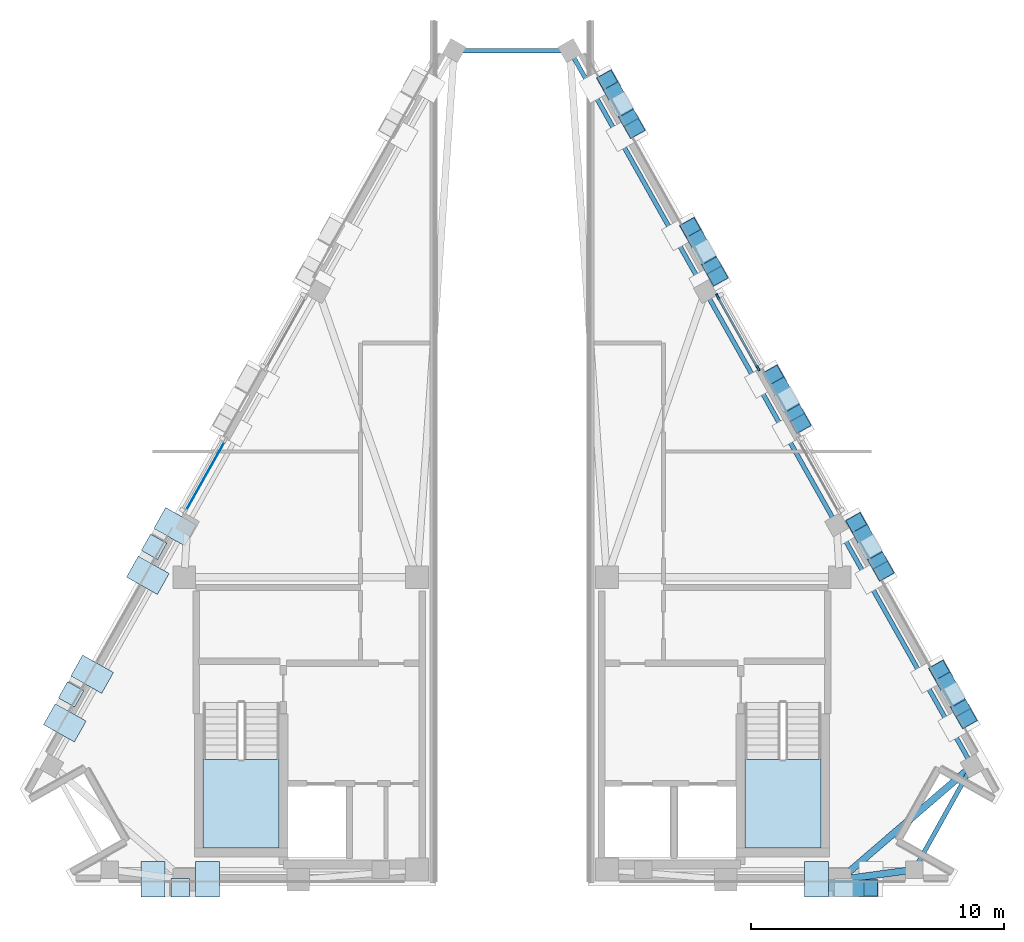
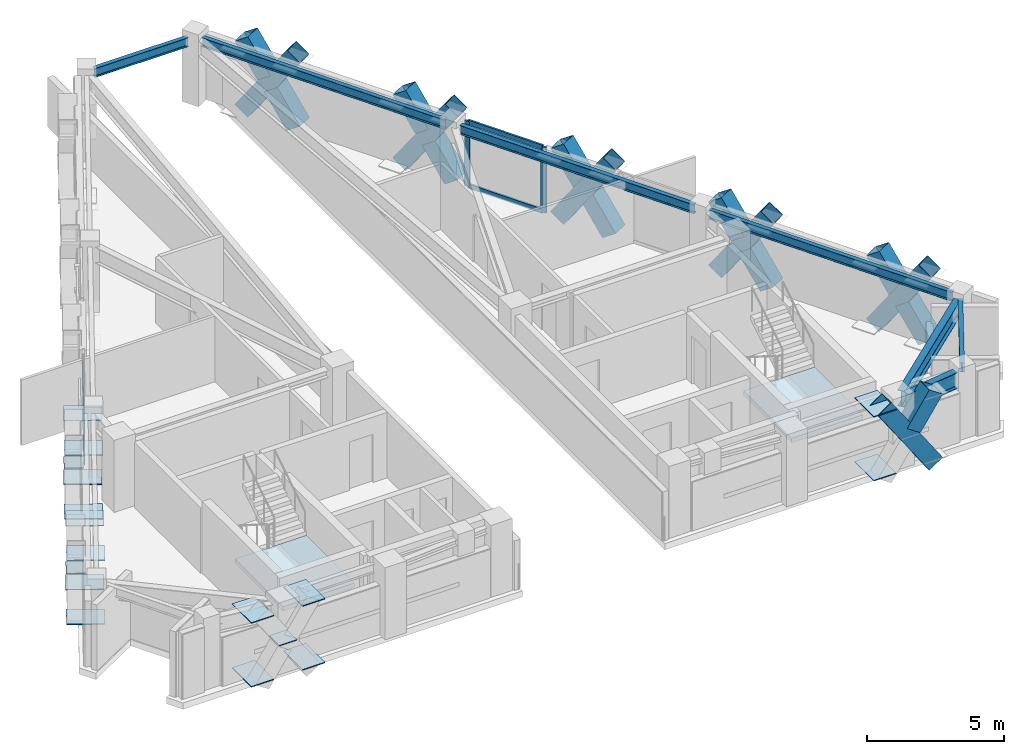
# One storey, part 2 of 7: 21 members, 18 plates, 7 beams, 2 slabs, 4 elements without a shape of their own.
"""IFC4 building model written with IfcOpenShell, lengths in metres."""

from ifc_helpers import new_model, si_unit, direction, frame, origin, origin_2d, place, context, subcontext, project, spatial, polyline, rectangle, hollow_rectangle, i_section, outline, extrude, material, layer, layer_set, material_profile, profile_set, type_object, element, aggregate, save


model = new_model("IFC4")

# Units and contexts
model_context = context("Model", 3, precision=1e-05, world=origin(), true_north=direction((0.0, 1.0)))
body_context = subcontext(model_context, "Body", "Model", "MODEL_VIEW")
ifc_project = project(units=[si_unit("LENGTHUNIT", "METRE"), si_unit("AREAUNIT", "SQUARE_METRE"), si_unit("VOLUMEUNIT", "CUBIC_METRE"), si_unit("PLANEANGLEUNIT", "RADIAN"), si_unit("MASSUNIT", "GRAM", prefix="KILO")], contexts=[model_context])

# Site, building, storey
site_placement = place(None, origin())
site = spatial("IfcSite", under=ifc_project, at=site_placement, CompositionType="ELEMENT")
building_placement = place(site_placement, origin())
building = spatial("IfcBuilding", under=site, at=building_placement, Name="Quenlor Broadcast Tower", CompositionType="ELEMENT")
storey_placement = place(building_placement, frame((0.0, 0.0, 274.10009765625)))
storey = spatial("IfcBuildingStorey", under=building, at=storey_placement, Name="L76", CompositionType="ELEMENT", Elevation=274.10009765625)

# Curtain wall, members
ifc_material_1 = material(Name="Architectural Terracotta and Low-E Glazing", Category="masonry")
curtain_wall_type = type_object("IfcCurtainWallType", Name="Station Concourse and Crown Terracotta Curtain Wall", PredefinedType="NOTDEFINED", material=ifc_material_1)
curtain_wall_1_placement = place(storey_placement, origin())
curtain_wall_1 = element("IfcCurtainWall", 1, at=curtain_wall_1_placement, inside=storey, type_object=curtain_wall_type, Name="L76 Curtain Wall CW6 (L76-NE-G1)", PredefinedType="NOTDEFINED")
ifc_material_2 = material(Name="Aluminium 6063-T6", Category="aluminium")
ifc_material_profile_1 = material_profile(ifc_material_2, rectangle(XDim=0.08203125, YDim=0.239990234375, at=origin_2d()))
ifc_profile_set_1 = profile_set([ifc_material_profile_1], Name="Aluminium 6063-T6 MULL82x240")
member_type_1 = type_object("IfcMemberType", Name="CW6 Aluminium Mullion MULL_CW6", PredefinedType="MULLION", material=ifc_profile_set_1)
member_1_placement = place(storey_placement, frame((8.126220703125, 6.29052734375, 0.0), z_axis=(0.0, 0.0, 1.0), x_axis=(0.871571523235, 0.490268375367, 0.0)))
member_1 = element("IfcMember", 2, at=member_1_placement, type_object=member_type_1, Name="CW6 mullion 1", PredefinedType="MULLION", context=body_context, shape_type="SweptSolid", body=[
    extrude(rectangle(XDim=0.08203125, YDim=0.239990234375, at=origin_2d()), origin(), (0.0, 0.0, 1.0), 2.919921875),
])
member_2_placement = place(storey_placement, frame((9.717041015625, 3.46240234375, 0.0), z_axis=(0.0, 0.0, 1.0), x_axis=(0.871571523235, 0.490268375367, 0.0)))
member_2 = element("IfcMember", 3, at=member_2_placement, type_object=member_type_1, Name="CW6 mullion 2", PredefinedType="MULLION", context=body_context, shape_type="SweptSolid", body=[
    extrude(rectangle(XDim=0.08203125, YDim=0.239990234375, at=origin_2d()), origin(), (0.0, 0.0, 1.0), 2.919921875),
])
ifc_material_3 = material(Name="Aluminium 6063-T6", Category="aluminium")
ifc_material_profile_2 = material_profile(ifc_material_3, rectangle(XDim=0.08203125, YDim=0.195068359375, at=origin_2d()))
ifc_profile_set_2 = profile_set([ifc_material_profile_2], Name="Aluminium 6063-T6 TRAN82x195")
member_type_2 = type_object("IfcMemberType", Name="CW6 Aluminium Transom TRAN_CW6", PredefinedType="USERDEFINED", material=ifc_profile_set_2)
member_3_placement = place(storey_placement, frame((8.146240234375, 6.254638671875, 0.041015625), z_axis=(0.490250244801, -0.871581721626, 0.0), x_axis=(0.871581721626, 0.490250244801, 0.0)))
member_3 = element("IfcMember", 4, at=member_3_placement, type_object=member_type_2, Name="CW6 transom 1.1", ObjectType="TRANSOM", PredefinedType="USERDEFINED", context=body_context, shape_type="SweptSolid", body=[
    extrude(rectangle(XDim=0.08203125, YDim=0.195068359375, at=origin_2d()), origin(), (0.0, 0.0, 1.0), 3.162841796875),
])
member_4_placement = place(storey_placement, frame((8.146240234375, 6.254638671875, 2.87890625), z_axis=(0.490250244801, -0.871581721626, 0.0), x_axis=(0.871581721626, 0.490250244801, 0.0)))
member_4 = element("IfcMember", 5, at=member_4_placement, type_object=member_type_2, Name="CW6 transom 1.2", ObjectType="TRANSOM", PredefinedType="USERDEFINED", context=body_context, shape_type="SweptSolid", body=[
    extrude(rectangle(XDim=0.08203125, YDim=0.195068359375, at=origin_2d()), origin(), (0.0, 0.0, 1.0), 3.162841796875),
])
aggregate(curtain_wall_1, [member_1, member_2, member_3, member_4])

# Beams
ifc_material_4 = material(Name="Steel S355", Category="steel")
ifc_material_profile_3 = material_profile(ifc_material_4, i_section(OverallWidth=0.27490234375, OverallDepth=0.716064453125, WebThickness=0.013916015625, FlangeThickness=0.02490234375, FilletRadius=0.013916015625, at=origin_2d()))
ifc_profile_set_3 = profile_set([ifc_material_profile_3], Name="Steel S355 700WB173")
beam_type_1 = type_object("IfcBeamType", Name="Crown Plant Ring Girder Steel S355 700WB173", PredefinedType="BEAM", material=ifc_profile_set_3)
beam_1_placement = place(storey_placement, frame((15.59033203125, -16.3916015625, 2.56201171875), z_axis=(-0.990908681621, -0.134536183561, 0.0), x_axis=(0.134536183561, -0.990908681621, 0.0)))
element("IfcBeam", 6, at=beam_1_placement, inside=storey, type_object=beam_type_1, Name="L76 Primary Radial Beam S4", PredefinedType="BEAM", context=body_context, shape_type="SweptSolid", body=[
    extrude(i_section(OverallWidth=0.27490234375, OverallDepth=0.716064453125, WebThickness=0.013916015625, FlangeThickness=0.02490234375, FilletRadius=0.013916015625, at=origin_2d()), origin(), (0.0, 0.0, 1.0), 2.28466796875),
])
beam_2_placement = place(storey_placement, frame((17.947265625, -12.451904296875, 2.56201171875), z_axis=(-0.758156826123, -0.652072255968, 0.0), x_axis=(0.652072255968, -0.758156826123, 0.0)))
element("IfcBeam", 7, at=beam_2_placement, inside=storey, type_object=beam_type_1, Name="L76 Primary Radial Beam NE1", PredefinedType="BEAM", context=body_context, shape_type="SweptSolid", body=[
    extrude(i_section(OverallWidth=0.27490234375, OverallDepth=0.716064453125, WebThickness=0.013916015625, FlangeThickness=0.02490234375, FilletRadius=0.013916015625, at=origin_2d()), origin(), (0.0, 0.0, 1.0), 6.21142578125),
])

# Members
ifc_material_5 = material(Name="Steel S355", Category="steel")
ifc_material_profile_4 = material_profile(ifc_material_5, hollow_rectangle(XDim=0.679931640625, YDim=0.679931640625, WallThickness=0.02001953125, at=origin_2d()))
ifc_profile_set_4 = profile_set([ifc_material_profile_4], Name="Steel S355 RHS680x680x20")
member_type_3 = type_object("IfcMemberType", Name="Perimeter Diagonal Lattice Brace Z5-Crown Steel S355 RHS680x20", PredefinedType="BRACE", material=ifc_profile_set_4)
member_5_placement = place(storey_placement, frame((14.182861328125, -17.070068359375, -0.1201171875), z_axis=(-0.559071894658, 0.0, 0.829119181182), x_axis=(0.0, -1.0, 0.0)))
element("IfcMember", 8, at=member_5_placement, inside=storey, type_object=member_type_3, Name="L76 Perimeter Diamond Lattice S-C1XA", PredefinedType="BRACE", context=body_context, shape_type="SweptSolid", body=[
    extrude(hollow_rectangle(XDim=0.679931640625, YDim=0.679931640625, WallThickness=0.02001953125, at=origin_2d()), origin(), (0.0, 0.0, 1.0), 3.859375),
])
member_6_placement = place(storey_placement, frame((13.243896484375, -17.070068359375, 1.687255859375), z_axis=(0.559053368551, 0.0, 0.829131672963), x_axis=(0.0, 1.0, 0.0)))
element("IfcMember", 9, at=member_6_placement, inside=storey, type_object=member_type_3, Name="L76 Perimeter Diamond Lattice S-C1XB2", PredefinedType="BRACE", context=body_context, shape_type="SweptSolid", body=[
    extrude(hollow_rectangle(XDim=0.679931640625, YDim=0.679931640625, WallThickness=0.02001953125, at=origin_2d()), origin(), (0.0, 0.0, 1.0), 1.679443359375),
])
member_7_placement = place(storey_placement, frame((3.761962890625, 14.85498046875, -0.1201171875), z_axis=(0.278011753881, -0.494250100424, 0.823666378417), x_axis=(0.871578496623, 0.490255978266, 0.0)))
element("IfcMember", 10, at=member_7_placement, inside=storey, type_object=member_type_3, Name="L76 Perimeter Diamond Lattice NE-C1XA", PredefinedType="BRACE", context=body_context, shape_type="SweptSolid", body=[
    extrude(hollow_rectangle(XDim=0.679931640625, YDim=0.679931640625, WallThickness=0.02001953125, at=origin_2d()), origin(), (0.0, 0.0, 1.0), 3.885009765625),
])
member_8_placement = place(storey_placement, frame((4.842041015625, 12.934814453125, -0.1201171875), z_axis=(-0.277979553584, 0.494217929725, 0.823696549542), x_axis=(-0.87158912515, -0.49023708236, 0.0)))
element("IfcMember", 11, at=member_8_placement, inside=storey, type_object=member_type_3, Name="L76 Perimeter Diamond Lattice NE-C1XB1", PredefinedType="BRACE", context=body_context, shape_type="SweptSolid", body=[
    extrude(hollow_rectangle(XDim=0.679931640625, YDim=0.679931640625, WallThickness=0.02001953125, at=origin_2d()), origin(), (0.0, 0.0, 1.0), 1.6923828125),
])
member_9_placement = place(storey_placement, frame((4.232421875, 14.018310546875, 1.685791015625), z_axis=(-0.27795973469, 0.494326938653, 0.823637823083), x_axis=(-0.871650246414, -0.490128399428, 0.0)))
element("IfcMember", 12, at=member_9_placement, inside=storey, type_object=member_type_3, Name="L76 Perimeter Diamond Lattice NE-C1XB2", PredefinedType="BRACE", context=body_context, shape_type="SweptSolid", body=[
    extrude(hollow_rectangle(XDim=0.679931640625, YDim=0.679931640625, WallThickness=0.02001953125, at=origin_2d()), origin(), (0.0, 0.0, 1.0), 1.692626953125),
])
member_10_placement = place(storey_placement, frame((7.04150390625, 9.024658203125, -0.1201171875), z_axis=(0.278011753881, -0.494250100424, 0.823666378417), x_axis=(0.871578496623, 0.490255978266, 0.0)))
element("IfcMember", 13, at=member_10_placement, inside=storey, type_object=member_type_3, Name="L76 Perimeter Diamond Lattice NE-C2XA", PredefinedType="BRACE", context=body_context, shape_type="SweptSolid", body=[
    extrude(hollow_rectangle(XDim=0.679931640625, YDim=0.679931640625, WallThickness=0.02001953125, at=origin_2d()), origin(), (0.0, 0.0, 1.0), 3.885009765625),
])
member_11_placement = place(storey_placement, frame((8.12158203125, 7.1044921875, -0.1201171875), z_axis=(-0.278112653694, 0.494198107654, 0.823663512757), x_axis=(-0.871480414068, -0.490430308909, 0.0)))
element("IfcMember", 14, at=member_11_placement, inside=storey, type_object=member_type_3, Name="L76 Perimeter Diamond Lattice NE-C2XB1", PredefinedType="BRACE", context=body_context, shape_type="SweptSolid", body=[
    extrude(hollow_rectangle(XDim=0.679931640625, YDim=0.679931640625, WallThickness=0.02001953125, at=origin_2d()), origin(), (0.0, 0.0, 1.0), 1.6923828125),
])
member_12_placement = place(storey_placement, frame((7.511962890625, 8.18798828125, 1.685791015625), z_axis=(-0.27795973469, 0.494326938653, 0.823637823083), x_axis=(-0.871650246414, -0.490128399428, 0.0)))
element("IfcMember", 15, at=member_12_placement, inside=storey, type_object=member_type_3, Name="L76 Perimeter Diamond Lattice NE-C2XB2", PredefinedType="BRACE", context=body_context, shape_type="SweptSolid", body=[
    extrude(hollow_rectangle(XDim=0.679931640625, YDim=0.679931640625, WallThickness=0.02001953125, at=origin_2d()), origin(), (0.0, 0.0, 1.0), 1.692626953125),
])
member_13_placement = place(storey_placement, frame((10.32080078125, 3.1943359375, -0.1201171875), z_axis=(0.278020388647, -0.494202607668, 0.823691960669), x_axis=(0.87155185771, 0.490303333991, 0.0)))
element("IfcMember", 16, at=member_13_placement, inside=storey, type_object=member_type_3, Name="L76 Perimeter Diamond Lattice NE-C3XA", PredefinedType="BRACE", context=body_context, shape_type="SweptSolid", body=[
    extrude(hollow_rectangle(XDim=0.679931640625, YDim=0.679931640625, WallThickness=0.02001953125, at=origin_2d()), origin(), (0.0, 0.0, 1.0), 3.885009765625),
])
for number, where, z_axis, x_axis, name in (
    (17, (11.40087890625, 1.2744140625, -0.1201171875), (-0.277979553584, 0.494217929725, 0.823696549542), (-0.87158912515, -0.49023708236, 0.0), "L76 Perimeter Diamond Lattice NE-C3XB1"),
    (18, (10.79150390625, 2.35791015625, 1.685791015625), (-0.278112653694, 0.494198107654, 0.823663512757), (-0.871480414068, -0.490430308909, 0.0), "L76 Perimeter Diamond Lattice NE-C3XB2"),
):
    element("IfcMember", number, at=place(storey_placement, frame(where, z_axis=z_axis, x_axis=x_axis)), inside=storey, type_object=member_type_3, Name=name, PredefinedType="BRACE", context=body_context, shape_type="SweptSolid", body=[
        extrude(hollow_rectangle(XDim=0.679931640625, YDim=0.679931640625, WallThickness=0.02001953125, at=origin_2d()), origin(), (0.0, 0.0, 1.0), 1.6923828125),
    ])
member_14_placement = place(storey_placement, frame((13.6005859375, -2.6357421875, -0.1201171875), z_axis=(0.277953767715, -0.494258734587, 0.823680767226), x_axis=(0.871625847005, 0.490171789104, 0.0)))
element("IfcMember", 19, at=member_14_placement, inside=storey, type_object=member_type_3, Name="L76 Perimeter Diamond Lattice NE-C4XA", PredefinedType="BRACE", context=body_context, shape_type="SweptSolid", body=[
    extrude(hollow_rectangle(XDim=0.679931640625, YDim=0.679931640625, WallThickness=0.02001953125, at=origin_2d()), origin(), (0.0, 0.0, 1.0), 3.885009765625),
])
member_15_placement = place(storey_placement, frame((14.680419921875, -4.555908203125, -0.1201171875), z_axis=(-0.277979553584, 0.494217929725, 0.823696549542), x_axis=(-0.87158912515, -0.49023708236, 0.0)))
element("IfcMember", 20, at=member_15_placement, inside=storey, type_object=member_type_3, Name="L76 Perimeter Diamond Lattice NE-C4XB1", PredefinedType="BRACE", context=body_context, shape_type="SweptSolid", body=[
    extrude(hollow_rectangle(XDim=0.679931640625, YDim=0.679931640625, WallThickness=0.02001953125, at=origin_2d()), origin(), (0.0, 0.0, 1.0), 1.6923828125),
])
member_16_placement = place(storey_placement, frame((14.071044921875, -3.472412109375, 1.685791015625), z_axis=(-0.27795973469, 0.494326938653, 0.823637823083), x_axis=(-0.871650246414, -0.490128399428, 0.0)))
element("IfcMember", 21, at=member_16_placement, inside=storey, type_object=member_type_3, Name="L76 Perimeter Diamond Lattice NE-C4XB2", PredefinedType="BRACE", context=body_context, shape_type="SweptSolid", body=[
    extrude(hollow_rectangle(XDim=0.679931640625, YDim=0.679931640625, WallThickness=0.02001953125, at=origin_2d()), origin(), (0.0, 0.0, 1.0), 1.692626953125),
])
member_17_placement = place(storey_placement, frame((16.8798828125, -8.466064453125, -0.1201171875), z_axis=(0.278011753881, -0.494250100424, 0.823666378417), x_axis=(0.871578496623, 0.490255978266, 0.0)))
element("IfcMember", 22, at=member_17_placement, inside=storey, type_object=member_type_3, Name="L76 Perimeter Diamond Lattice NE-C5XA", PredefinedType="BRACE", context=body_context, shape_type="SweptSolid", body=[
    extrude(hollow_rectangle(XDim=0.679931640625, YDim=0.679931640625, WallThickness=0.02001953125, at=origin_2d()), origin(), (0.0, 0.0, 1.0), 3.885009765625),
])
for number, where, z_axis, x_axis, name in (
    (23, (17.9599609375, -10.38623046875, -0.1201171875), (-0.277979553584, 0.494217929725, 0.823696549542), (-0.87158912515, -0.49023708236, 0.0), "L76 Perimeter Diamond Lattice NE-C5XB1"),
    (24, (17.3505859375, -9.302490234375, 1.685791015625), (-0.278112653694, 0.494198107654, 0.823663512757), (-0.871480414068, -0.490430308909, 0.0), "L76 Perimeter Diamond Lattice NE-C5XB2"),
):
    element("IfcMember", number, at=place(storey_placement, frame(where, z_axis=z_axis, x_axis=x_axis)), inside=storey, type_object=member_type_3, Name=name, PredefinedType="BRACE", context=body_context, shape_type="SweptSolid", body=[
        extrude(hollow_rectangle(XDim=0.679931640625, YDim=0.679931640625, WallThickness=0.02001953125, at=origin_2d()), origin(), (0.0, 0.0, 1.0), 1.6923828125),
    ])

# Beams
ifc_material_6 = material(Name="Steel S355", Category="steel")
ifc_material_profile_5 = material_profile(ifc_material_6, i_section(OverallWidth=0.177978515625, OverallDepth=0.406494140625, WebThickness=0.0078125, FlangeThickness=0.0126953125, FilletRadius=0.011474609375, at=origin_2d()))
ifc_profile_set_5 = profile_set([ifc_material_profile_5], Name="Steel S355 410UB59.7")
beam_type_2 = type_object("IfcBeamType", Name="Perimeter Spandrel Beam Z5 Steel S355 410UB59.7", PredefinedType="SPANDREL", material=ifc_profile_set_5)
beam_3_placement = place(storey_placement, frame((16.048583984375, -16.0791015625, 2.716796875), z_axis=(0.486777294572, 0.873526110365, 0.0), x_axis=(-0.873526110365, 0.486777294572, 0.0)))
element("IfcBeam", 25, at=beam_3_placement, inside=storey, type_object=beam_type_2, Name="L76 Spandrel Beam S4-NE1", PredefinedType="SPANDREL", context=body_context, shape_type="SweptSolid", body=[
    extrude(i_section(OverallWidth=0.177978515625, OverallDepth=0.406494140625, WebThickness=0.0078125, FlangeThickness=0.0126953125, FilletRadius=0.011474609375, at=origin_2d()), origin(), (0.0, 0.0, 1.0), 4.073486328125),
])
beam_4_placement = place(storey_placement, frame((18.0302734375, -11.979736328125, 2.716796875), z_axis=(-0.490249992991, 0.871581863265, 0.0), x_axis=(-0.871581863265, -0.490249992991, 0.0)))
element("IfcBeam", 26, at=beam_4_placement, inside=storey, type_object=beam_type_2, Name="L76 Spandrel Beam NE1-NE2", PredefinedType="SPANDREL", context=body_context, shape_type="SweptSolid", body=[
    extrude(i_section(OverallWidth=0.177978515625, OverallDepth=0.406494140625, WebThickness=0.0078125, FlangeThickness=0.0126953125, FilletRadius=0.011474609375, at=origin_2d()), origin(), (0.0, 0.0, 1.0), 10.306396484375),
])
beam_5_placement = place(storey_placement, frame((12.673583984375, -2.45654296875, 2.716796875), z_axis=(-0.490271720009, 0.87156964183, 0.0), x_axis=(-0.87156964183, -0.490271720009, 0.0)))
element("IfcBeam", 27, at=beam_5_placement, inside=storey, type_object=beam_type_2, Name="L76 Spandrel Beam NE2-NE3", PredefinedType="SPANDREL", context=body_context, shape_type="SweptSolid", body=[
    extrude(i_section(OverallWidth=0.177978515625, OverallDepth=0.406494140625, WebThickness=0.0078125, FlangeThickness=0.0126953125, FilletRadius=0.011474609375, at=origin_2d()), origin(), (0.0, 0.0, 1.0), 9.953857421875),
])
beam_6_placement = place(storey_placement, frame((7.489501953125, 6.759521484375, 2.716796875), z_axis=(-0.490260114949, 0.871576169758, 0.0), x_axis=(-0.871576169758, -0.490260114949, 0.0)))
element("IfcBeam", 28, at=beam_6_placement, inside=storey, type_object=beam_type_2, Name="L76 Spandrel Beam NE3-NE4", PredefinedType="SPANDREL", context=body_context, shape_type="SweptSolid", body=[
    extrude(i_section(OverallWidth=0.177978515625, OverallDepth=0.406494140625, WebThickness=0.0078125, FlangeThickness=0.0126953125, FilletRadius=0.011474609375, at=origin_2d()), origin(), (0.0, 0.0, 1.0), 10.30615234375),
])
beam_7_placement = place(storey_placement, frame((1.974609375, 16.012451171875, 2.716796875), z_axis=(-1.0, 0.0, 0.0), x_axis=(0.0, -1.0, 0.0)))
element("IfcBeam", 29, at=beam_7_placement, inside=storey, type_object=beam_type_2, Name="L76 Spandrel Beam NE4-NW1", PredefinedType="SPANDREL", context=body_context, shape_type="SweptSolid", body=[
    extrude(i_section(OverallWidth=0.177978515625, OverallDepth=0.406494140625, WebThickness=0.0078125, FlangeThickness=0.0126953125, FilletRadius=0.011474609375, at=origin_2d()), origin(), (0.0, 0.0, 1.0), 3.94921875),
])

# Curtain wall, plate
curtain_wall_2_placement = place(storey_placement, origin())
curtain_wall_2 = element("IfcCurtainWall", 30, at=curtain_wall_2_placement, inside=storey, type_object=curtain_wall_type, Name="L76 Curtain Wall CW6 (L76-NW-G1)", PredefinedType="NOTDEFINED")
ifc_material_7 = material(Name="Double Glazed Low-E Solar Glass", Category="glass")
ifc_layer_1 = layer(ifc_material_7, 0.033935546875)
ifc_layer_set_1 = layer_set([ifc_layer_1], Name="CW6 Double Glazed Vision Panel 34")
plate_type_1 = type_object("IfcPlateType", Name="CW6 Double Glazed Vision Panel 34", PredefinedType="CURTAIN_PANEL", material=ifc_layer_set_1)
plate_placement = place(storey_placement, frame((-12.11181640625, -0.795166015625, 0.08203125), z_axis=(0.0, 0.0, 1.0), x_axis=(0.490268375367, 0.871571523235, 0.0)))
plate = element("IfcPlate", 31, at=plate_placement, type_object=plate_type_1, Name="CW6 panel 1.1", PredefinedType="CURTAIN_PANEL", context=body_context, shape_type="SweptSolid", body=[
    extrude(rectangle(XDim=3.162841796875, YDim=0.033935546875, at=origin_2d()), origin(), (0.0, 0.0, 1.0), 2.756103515625),
])
aggregate(curtain_wall_2, [plate])

# Plates
ifc_material_8 = material(Name="Steel S355", Category="steel")
ifc_layer_2 = layer(ifc_material_8, 0.028076171875)
ifc_layer_set_2 = layer_set([ifc_layer_2], Name="Perimeter Lattice Node Steel S355 Cap Plate 740x740x28")
plate_type_2 = type_object("IfcPlateType", Name="Perimeter Lattice Node Steel S355 Cap Plate 740x740x28", PredefinedType="USERDEFINED", material=ifc_layer_set_2)
for number, where, z_axis, x_axis, name in (
    (32, (-13.10400390625, -17.070068359375, 1.4658203125), (0.0, 0.0, 1.0), (-1.0, 0.0, 0.0), "L76 Diamond Lattice Crossing Node S-C5"),
    (33, (-17.419921875, -9.426025390625, 1.4658203125), (0.0, 0.0, 1.0), (0.490295412055, 0.871556314255, 0.0), "L76 Diamond Lattice Crossing Node NW-C1"),
    (34, (-14.140380859375, -3.595947265625, 1.4658203125), (0.0, 0.0, 1.0), (0.490295412055, 0.871556314255, 0.0), "L76 Diamond Lattice Crossing Node NW-C2"),
):
    element("IfcPlate", number, at=place(storey_placement, frame(where, z_axis=z_axis, x_axis=x_axis)), inside=storey, type_object=plate_type_2, Name=name, ObjectType="CAP PLATE", PredefinedType="USERDEFINED", context=body_context, shape_type="SweptSolid", body=[
        extrude(rectangle(XDim=0.739990234375, YDim=0.739990234375, at=origin_2d()), origin(), (0.0, 0.0, 1.0), 0.028076171875),
    ])

# Stair, slab
ifc_material_9 = material(Name="Precast concrete C40/50", Category="concrete")
stair_type = type_object("IfcStairType", Name="Precast Concrete C40/50 Dogleg Stair H320", PredefinedType="HALF_TURN_STAIR", material=ifc_material_9)
stair_1_placement = place(storey_placement, origin())
stair_1 = element("IfcStair", 35, at=stair_1_placement, inside=storey, type_object=stair_type, Name="L76 West Core Fire-Isolated Exit Stair ST-1", PredefinedType="HALF_TURN_STAIR")
ifc_material_10 = material(Name="Precast concrete C40/50", Category="concrete")
ifc_layer_3 = layer(ifc_material_10, 0.199951171875)
ifc_layer_set_3 = layer_set([ifc_layer_3], Name="Precast Concrete C40/50 Stair Landing Slab 200")
slab_type = type_object("IfcSlabType", Name="Precast Concrete C40/50 Stair Landing Slab 200", PredefinedType="LANDING", material=ifc_layer_set_3)
slab_1_placement = place(storey_placement, frame((0.0, 0.0, 1.39990234375)))
slab_1 = element("IfcSlab", 36, at=slab_1_placement, type_object=slab_type, Name="ST-1 landing 1", PredefinedType="LANDING", context=body_context, shape_type="SweptSolid", body=[
    extrude(outline(polyline([(-12.199951171875, -11.989990234375), (-12.199951171875, -15.5), (-9.199951171875, -15.5), (-9.199951171875, -11.989990234375), (-12.199951171875, -11.989990234375)])), origin(), (0.0, 0.0, 1.0), 0.199951171875),
])
aggregate(stair_1, [slab_1])

stair_2_placement = place(storey_placement, origin())
stair_2 = element("IfcStair", 37, at=stair_2_placement, inside=storey, type_object=stair_type, Name="L76 East Core Fire-Isolated Exit Stair ST-2", PredefinedType="HALF_TURN_STAIR")
slab_2_placement = place(storey_placement, frame((0.0, 0.0, 1.39990234375)))
slab_2 = element("IfcSlab", 38, at=slab_2_placement, type_object=slab_type, Name="ST-2 landing 1", PredefinedType="LANDING", context=body_context, shape_type="SweptSolid", body=[
    extrude(outline(polyline([(9.199951171875, -11.989990234375), (9.199951171875, -15.5), (12.199951171875, -15.5), (12.199951171875, -11.989990234375), (9.199951171875, -11.989990234375)])), origin(), (0.0, 0.0, 1.0), 0.199951171875),
])
aggregate(stair_2, [slab_2])

# Plates
ifc_material_11 = material(Name="Steel S355", Category="steel")
ifc_layer_4 = layer(ifc_material_11, 0.035888671875)
ifc_layer_set_4 = layer_set([ifc_layer_4], Name="Transfer Truss Steel S355 Gusset Node Plate 1400x950x36")
plate_type_3 = type_object("IfcPlateType", Name="Transfer Truss Steel S355 Gusset Node Plate 1400x950x36", PredefinedType="SHEET", material=ifc_layer_set_4)
for number, where, z_axis, x_axis, name in (
    (39, (12.025146484375, -16.735107421875, 2.8818359375), (0.0, 0.0, 1.0), (0.0, -1.0, 0.0), "L76 Lattice Tie Gusset Node S-T2"),
    (40, (12.025146484375, -16.735107421875, 0.0419921875), (0.0, 0.0, 1.0), (0.0, -1.0, 0.0), "L76 Lattice Tie Gusset Node S-B2"),
    (41, (-12.025146484375, -16.735107421875, 0.0419921875), (0.0, 0.0, 1.0), (0.0, -1.0, 0.0), "L76 Lattice Tie Gusset Node S-B13"),
    (42, (-14.182861328125, -16.735107421875, 2.8818359375), (0.0, 0.0, 1.0), (0.0, -1.0, 0.0), "L76 Lattice Tie Gusset Node S-T14"),
    (43, (-14.182861328125, -16.735107421875, 0.0419921875), (0.0, 0.0, 1.0), (0.0, -1.0, 0.0), "L76 Lattice Tie Gusset Node S-B14"),
    (44, (-12.025146484375, -16.735107421875, 2.8818359375), (0.0, 0.0, 1.0), (0.0, -1.0, 0.0), "L76 Lattice Tie Gusset Node S-T13"),
    (45, (-17.66796875, -10.55029296875, 0.0419921875), (0.0, 0.0, 1.0), (-0.871556314255, 0.490295412055, 0.0), "L76 Lattice Tie Gusset Node NW-B1"),
    (46, (-16.587890625, -8.63037109375, 2.8818359375), (0.0, 0.0, 1.0), (-0.871556314255, 0.490295412055, 0.0), "L76 Lattice Tie Gusset Node NW-T2"),
    (47, (-16.587890625, -8.63037109375, 0.0419921875), (0.0, 0.0, 1.0), (-0.871556314255, 0.490295412055, 0.0), "L76 Lattice Tie Gusset Node NW-B2"),
    (48, (-17.66796875, -10.55029296875, 2.8818359375), (0.0, 0.0, 1.0), (-0.871556314255, 0.490295412055, 0.0), "L76 Lattice Tie Gusset Node NW-T1"),
    (49, (-14.388427734375, -4.72021484375, 0.0419921875), (0.0, 0.0, 1.0), (-0.871556314255, 0.490295412055, 0.0), "L76 Lattice Tie Gusset Node NW-B4"),
    (50, (-13.30859375, -2.800048828125, 2.8818359375), (0.0, 0.0, 1.0), (-0.871556314255, 0.490295412055, 0.0), "L76 Lattice Tie Gusset Node NW-T5"),
    (51, (-13.30859375, -2.800048828125, 0.0419921875), (0.0, 0.0, 1.0), (-0.871556314255, 0.490295412055, 0.0), "L76 Lattice Tie Gusset Node NW-B5"),
    (52, (-14.388427734375, -4.72021484375, 2.8818359375), (0.0, 0.0, 1.0), (-0.871556314255, 0.490295412055, 0.0), "L76 Lattice Tie Gusset Node NW-T4"),
):
    element("IfcPlate", number, at=place(storey_placement, frame(where, z_axis=z_axis, x_axis=x_axis)), inside=storey, type_object=plate_type_3, Name=name, PredefinedType="SHEET", context=body_context, shape_type="SweptSolid", body=[
        extrude(rectangle(XDim=1.39990234375, YDim=0.949951171875, at=origin_2d()), origin(), (0.0, 0.0, 1.0), 0.035888671875),
    ])

save(model, "model.ifc")
